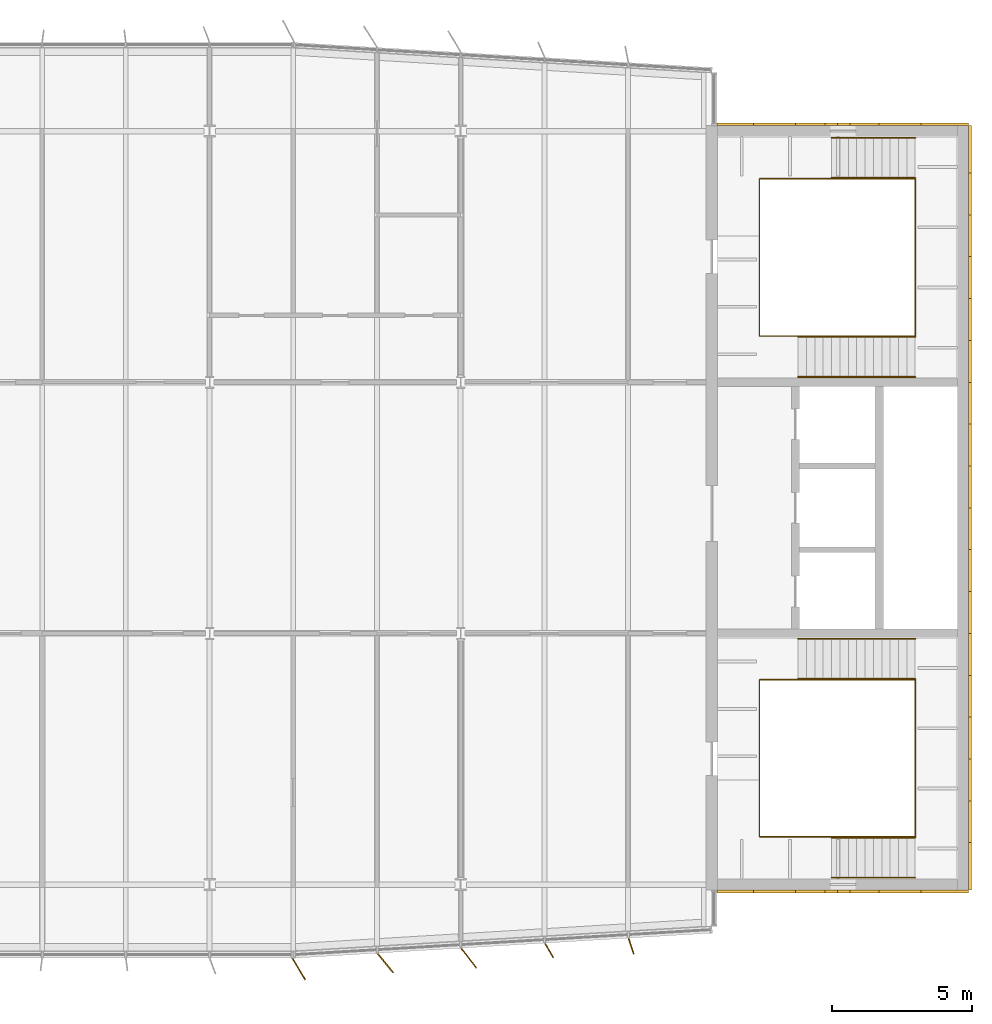
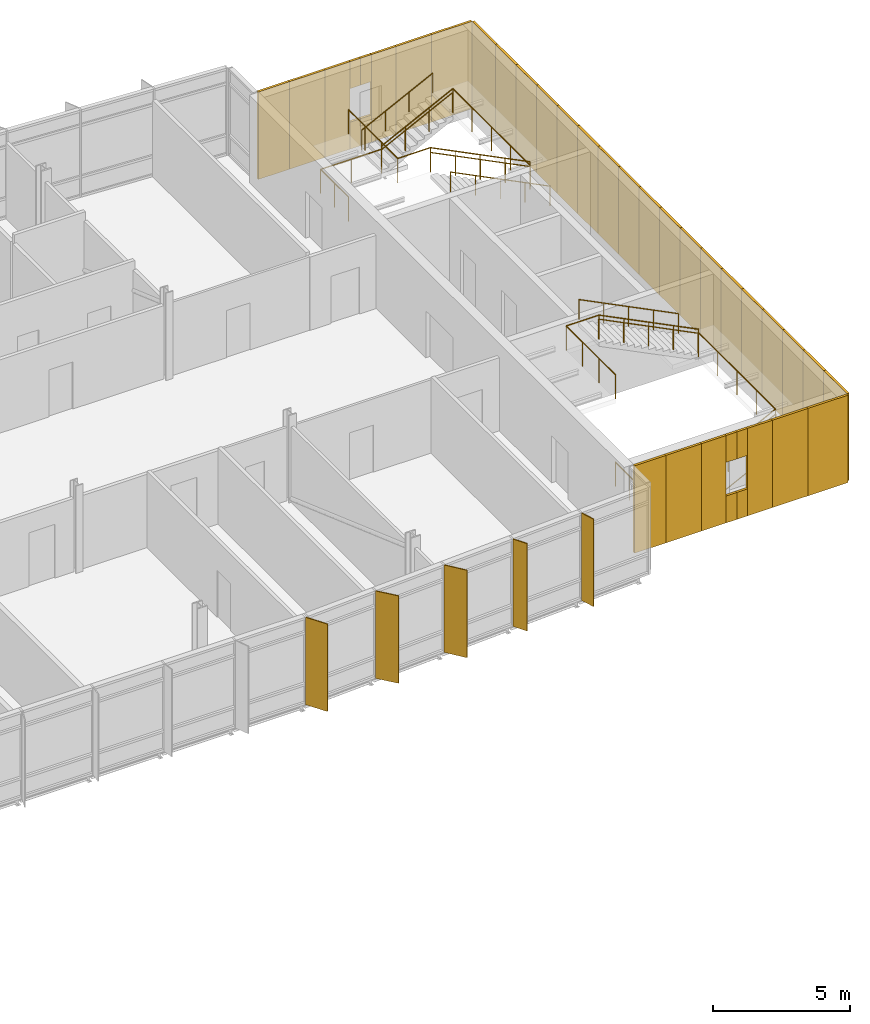
# One storey, part 17 of 18: 38 coverings, 10 railings, 5 shading devices.
"""IFC4 building model written with IfcOpenShell, lengths in metres."""

from ifc_helpers import new_model, si_unit, direction, frame, origin, origin_2d, place, context, subcontext, project, spatial, rectangle, circle, extrude, material, layer, layer_set, type_object, element, save


model = new_model("IFC4")

# Units and contexts
model_context = context("Model", 3, precision=1e-05, world=origin(), true_north=direction((0.0, 1.0)))
body_context = subcontext(model_context, "Body", "Model", "MODEL_VIEW")
ifc_project = project(units=[si_unit("LENGTHUNIT", "METRE"), si_unit("AREAUNIT", "SQUARE_METRE"), si_unit("VOLUMEUNIT", "CUBIC_METRE"), si_unit("PLANEANGLEUNIT", "RADIAN"), si_unit("MASSUNIT", "GRAM", prefix="KILO")], contexts=[model_context])

# Site, building, storey
site_placement = place(None, origin())
site = spatial("IfcSite", under=ifc_project, at=site_placement, CompositionType="ELEMENT")
building_placement = place(site_placement, origin())
building = spatial("IfcBuilding", under=site, at=building_placement, Name="Azimuth Sports and Learning Centre", CompositionType="ELEMENT")
storey_placement = place(building_placement, frame((0.0, 0.0, 63.60009765625)))
storey = spatial("IfcBuildingStorey", under=building, at=storey_placement, Name="L14", CompositionType="ELEMENT", Elevation=63.60009765625)

# Coverings
ifc_material_1 = material(Name="Cladding panel")
ifc_layer_1 = layer(ifc_material_1, 0.10009765625)
ifc_layer_set_1 = layer_set([ifc_layer_1], Name="Cladding panel")
covering_type = type_object("IfcCoveringType", Name="Cladding panel 100", PredefinedType="CLADDING", material=ifc_layer_set_1)
covering_1_placement = place(storey_placement, frame((108.840087890625, 89.75, 0.0), z_axis=(0.0, 0.0, 1.0), x_axis=(1.0, 0.0, 0.0)))
element("IfcCovering", 1, at=covering_1_placement, inside=storey, type_object=covering_type, Name="Cladding panel S-CORE E L14 1", PredefinedType="CLADDING", context=body_context, shape_type="SweptSolid", body=[
    extrude(rectangle(XDim=1.320068359375, YDim=0.10009765625, at=origin_2d()), origin(), (0.0, 0.0, 1.0), 3.89990234375),
])
covering_2_placement = place(storey_placement, frame((110.25, 89.75, 0.0), z_axis=(0.0, 0.0, 1.0), x_axis=(1.0, 0.0, 0.0)))
element("IfcCovering", 2, at=covering_2_placement, inside=storey, type_object=covering_type, Name="Cladding panel S-CORE E L14 2", PredefinedType="CLADDING", context=body_context, shape_type="SweptSolid", body=[
    extrude(rectangle(XDim=1.5, YDim=0.10009765625, at=origin_2d()), origin(), (0.0, 0.0, 1.0), 3.89990234375),
])
covering_3_placement = place(storey_placement, frame((111.52490234375, 89.75, 0.0), z_axis=(0.0, 0.0, 1.0), x_axis=(1.0, 0.0, 0.0)))
element("IfcCovering", 3, at=covering_3_placement, inside=storey, type_object=covering_type, Name="Cladding panel S-CORE E L14 3", PredefinedType="CLADDING", context=body_context, shape_type="SweptSolid", body=[
    extrude(rectangle(XDim=1.050048828125, YDim=0.10009765625, at=origin_2d()), origin(), (0.0, 0.0, 1.0), 3.89990234375),
])
for number, where, z_axis, x_axis, name in (
    (4, (112.27490234375, 89.75, 0.0), (0.0, 0.0, 1.0), (1.0, 0.0, 0.0), "Cladding panel S-CORE E L14 4"),
    (5, (112.27490234375, 89.75, 2.69970703125), (0.0, 0.0, 1.0), (1.0, 0.0, 0.0), "Cladding panel S-CORE E L14 5"),
):
    element("IfcCovering", number, at=place(storey_placement, frame(where, z_axis=z_axis, x_axis=x_axis)), inside=storey, type_object=covering_type, Name=name, PredefinedType="CLADDING", context=body_context, shape_type="SweptSolid", body=[
        extrude(rectangle(XDim=0.449951171875, YDim=0.10009765625, at=origin_2d()), origin(), (0.0, 0.0, 1.0), 1.199951171875),
    ])
covering_4_placement = place(storey_placement, frame((113.47509765625, 89.75, 0.0), z_axis=(0.0, 0.0, 1.0), x_axis=(1.0, 0.0, 0.0)))
element("IfcCovering", 6, at=covering_4_placement, inside=storey, type_object=covering_type, Name="Cladding panel S-CORE E L14 6", PredefinedType="CLADDING", context=body_context, shape_type="SweptSolid", body=[
    extrude(rectangle(XDim=1.050048828125, YDim=0.10009765625, at=origin_2d()), origin(), (0.0, 0.0, 1.0), 3.89990234375),
])
for number, where, z_axis, x_axis, name in (
    (7, (112.72509765625, 89.75, 0.0), (0.0, 0.0, 1.0), (1.0, 0.0, 0.0), "Cladding panel S-CORE E L14 7"),
    (8, (112.72509765625, 89.75, 2.69970703125), (0.0, 0.0, 1.0), (1.0, 0.0, 0.0), "Cladding panel S-CORE E L14 8"),
):
    element("IfcCovering", number, at=place(storey_placement, frame(where, z_axis=z_axis, x_axis=x_axis)), inside=storey, type_object=covering_type, Name=name, PredefinedType="CLADDING", context=body_context, shape_type="SweptSolid", body=[
        extrude(rectangle(XDim=0.449951171875, YDim=0.10009765625, at=origin_2d()), origin(), (0.0, 0.0, 1.0), 1.199951171875),
    ])
covering_5_placement = place(storey_placement, frame((114.75, 89.75, 0.0), z_axis=(0.0, 0.0, 1.0), x_axis=(1.0, 0.0, 0.0)))
element("IfcCovering", 9, at=covering_5_placement, inside=storey, type_object=covering_type, Name="Cladding panel S-CORE E L14 9", PredefinedType="CLADDING", context=body_context, shape_type="SweptSolid", body=[
    extrude(rectangle(XDim=1.5, YDim=0.10009765625, at=origin_2d()), origin(), (0.0, 0.0, 1.0), 3.89990234375),
])
for number, where, z_axis, x_axis, name in (
    (10, (116.35009765625, 89.75, 0.0), (0.0, 0.0, 1.0), (1.0, 0.0, 0.0), "Cladding panel S-CORE E L14 10"),
    (11, (117.25, 90.64990234375, 0.0), (0.0, 0.0, 1.0), (0.0, 1.0, 0.0), "Cladding panel E-CORE E L14 1"),
):
    element("IfcCovering", number, at=place(storey_placement, frame(where, z_axis=z_axis, x_axis=x_axis)), inside=storey, type_object=covering_type, Name=name, PredefinedType="CLADDING", context=body_context, shape_type="SweptSolid", body=[
        extrude(rectangle(XDim=1.699951171875, YDim=0.10009765625, at=origin_2d()), origin(), (0.0, 0.0, 1.0), 3.89990234375),
    ])
for number, where, z_axis, x_axis, name in (
    (12, (117.25, 92.25, 0.0), (0.0, 0.0, 1.0), (0.0, 1.0, 0.0), "Cladding panel E-CORE E L14 2"),
    (13, (117.25, 93.75, 0.0), (0.0, 0.0, 1.0), (0.0, 1.0, 0.0), "Cladding panel E-CORE E L14 3"),
    (14, (117.25, 95.25, 0.0), (0.0, 0.0, 1.0), (0.0, 1.0, 0.0), "Cladding panel E-CORE E L14 4"),
    (15, (117.25, 96.75, 0.0), (0.0, 0.0, 1.0), (0.0, 1.0, 0.0), "Cladding panel E-CORE E L14 5"),
    (16, (117.25, 98.25, 0.0), (0.0, 0.0, 1.0), (0.0, 1.0, 0.0), "Cladding panel E-CORE E L14 6"),
    (17, (117.25, 99.75, 0.0), (0.0, 0.0, 1.0), (0.0, 1.0, 0.0), "Cladding panel E-CORE E L14 7"),
    (18, (117.25, 101.25, 0.0), (0.0, 0.0, 1.0), (0.0, 1.0, 0.0), "Cladding panel E-CORE E L14 8"),
    (19, (117.25, 102.75, 0.0), (0.0, 0.0, 1.0), (0.0, 1.0, 0.0), "Cladding panel E-CORE E L14 9"),
    (20, (117.25, 104.25, 0.0), (0.0, 0.0, 1.0), (0.0, 1.0, 0.0), "Cladding panel E-CORE E L14 10"),
    (21, (117.25, 105.75, 0.0), (0.0, 0.0, 1.0), (0.0, 1.0, 0.0), "Cladding panel E-CORE E L14 11"),
    (22, (117.25, 107.25, 0.0), (0.0, 0.0, 1.0), (0.0, 1.0, 0.0), "Cladding panel E-CORE E L14 12"),
    (23, (117.25, 108.75, 0.0), (0.0, 0.0, 1.0), (0.0, 1.0, 0.0), "Cladding panel E-CORE E L14 13"),
    (24, (117.25, 110.25, 0.0), (0.0, 0.0, 1.0), (0.0, 1.0, 0.0), "Cladding panel E-CORE E L14 14"),
    (25, (117.25, 111.75, 0.0), (0.0, 0.0, 1.0), (0.0, 1.0, 0.0), "Cladding panel E-CORE E L14 15"),
    (26, (117.25, 113.25, 0.0), (0.0, 0.0, 1.0), (0.0, 1.0, 0.0), "Cladding panel E-CORE E L14 16"),
    (27, (117.25, 114.75, 0.0), (0.0, 0.0, 1.0), (0.0, 1.0, 0.0), "Cladding panel E-CORE E L14 17"),
):
    element("IfcCovering", number, at=place(storey_placement, frame(where, z_axis=z_axis, x_axis=x_axis)), inside=storey, type_object=covering_type, Name=name, PredefinedType="CLADDING", context=body_context, shape_type="SweptSolid", body=[
        extrude(rectangle(XDim=1.5, YDim=0.10009765625, at=origin_2d()), origin(), (0.0, 0.0, 1.0), 3.89990234375),
    ])
for number, where, z_axis, x_axis, name in (
    (28, (117.25, 116.35009765625, 0.0), (0.0, 0.0, 1.0), (0.0, 1.0, 0.0), "Cladding panel E-CORE E L14 18"),
    (29, (116.35009765625, 117.25, 0.0), (0.0, 0.0, 1.0), (-1.0, 0.0, 0.0), "Cladding panel N-CORE E L14 1"),
):
    element("IfcCovering", number, at=place(storey_placement, frame(where, z_axis=z_axis, x_axis=x_axis)), inside=storey, type_object=covering_type, Name=name, PredefinedType="CLADDING", context=body_context, shape_type="SweptSolid", body=[
        extrude(rectangle(XDim=1.699951171875, YDim=0.10009765625, at=origin_2d()), origin(), (0.0, 0.0, 1.0), 3.89990234375),
    ])
covering_6_placement = place(storey_placement, frame((114.75, 117.25, 0.0), z_axis=(0.0, 0.0, 1.0), x_axis=(-1.0, 0.0, 0.0)))
element("IfcCovering", 30, at=covering_6_placement, inside=storey, type_object=covering_type, Name="Cladding panel N-CORE E L14 2", PredefinedType="CLADDING", context=body_context, shape_type="SweptSolid", body=[
    extrude(rectangle(XDim=1.5, YDim=0.10009765625, at=origin_2d()), origin(), (0.0, 0.0, 1.0), 3.89990234375),
])
covering_7_placement = place(storey_placement, frame((113.47509765625, 117.25, 0.0), z_axis=(0.0, 0.0, 1.0), x_axis=(-1.0, 0.0, 0.0)))
element("IfcCovering", 31, at=covering_7_placement, inside=storey, type_object=covering_type, Name="Cladding panel N-CORE E L14 3", PredefinedType="CLADDING", context=body_context, shape_type="SweptSolid", body=[
    extrude(rectangle(XDim=1.050048828125, YDim=0.10009765625, at=origin_2d()), origin(), (0.0, 0.0, 1.0), 3.89990234375),
])
for number, where, z_axis, x_axis, name in (
    (32, (112.72509765625, 117.25, 0.0), (0.0, 0.0, 1.0), (-1.0, 0.0, 0.0), "Cladding panel N-CORE E L14 4"),
    (33, (112.72509765625, 117.25, 2.69970703125), (0.0, 0.0, 1.0), (-1.0, 0.0, 0.0), "Cladding panel N-CORE E L14 5"),
):
    element("IfcCovering", number, at=place(storey_placement, frame(where, z_axis=z_axis, x_axis=x_axis)), inside=storey, type_object=covering_type, Name=name, PredefinedType="CLADDING", context=body_context, shape_type="SweptSolid", body=[
        extrude(rectangle(XDim=0.449951171875, YDim=0.10009765625, at=origin_2d()), origin(), (0.0, 0.0, 1.0), 1.199951171875),
    ])
covering_8_placement = place(storey_placement, frame((111.52490234375, 117.25, 0.0), z_axis=(0.0, 0.0, 1.0), x_axis=(-1.0, 0.0, 0.0)))
element("IfcCovering", 34, at=covering_8_placement, inside=storey, type_object=covering_type, Name="Cladding panel N-CORE E L14 6", PredefinedType="CLADDING", context=body_context, shape_type="SweptSolid", body=[
    extrude(rectangle(XDim=1.050048828125, YDim=0.10009765625, at=origin_2d()), origin(), (0.0, 0.0, 1.0), 3.89990234375),
])
for number, where, z_axis, x_axis, name in (
    (35, (112.27490234375, 117.25, 0.0), (0.0, 0.0, 1.0), (-1.0, 0.0, 0.0), "Cladding panel N-CORE E L14 7"),
    (36, (112.27490234375, 117.25, 2.69970703125), (0.0, 0.0, 1.0), (-1.0, 0.0, 0.0), "Cladding panel N-CORE E L14 8"),
):
    element("IfcCovering", number, at=place(storey_placement, frame(where, z_axis=z_axis, x_axis=x_axis)), inside=storey, type_object=covering_type, Name=name, PredefinedType="CLADDING", context=body_context, shape_type="SweptSolid", body=[
        extrude(rectangle(XDim=0.449951171875, YDim=0.10009765625, at=origin_2d()), origin(), (0.0, 0.0, 1.0), 1.199951171875),
    ])
covering_9_placement = place(storey_placement, frame((110.25, 117.25, 0.0), z_axis=(0.0, 0.0, 1.0), x_axis=(-1.0, 0.0, 0.0)))
element("IfcCovering", 37, at=covering_9_placement, inside=storey, type_object=covering_type, Name="Cladding panel N-CORE E L14 9", PredefinedType="CLADDING", context=body_context, shape_type="SweptSolid", body=[
    extrude(rectangle(XDim=1.5, YDim=0.10009765625, at=origin_2d()), origin(), (0.0, 0.0, 1.0), 3.89990234375),
])
covering_10_placement = place(storey_placement, frame((108.840087890625, 117.25, 0.0), z_axis=(0.0, 0.0, 1.0), x_axis=(-1.0, 0.0, 0.0)))
element("IfcCovering", 38, at=covering_10_placement, inside=storey, type_object=covering_type, Name="Cladding panel N-CORE E L14 10", PredefinedType="CLADDING", context=body_context, shape_type="SweptSolid", body=[
    extrude(rectangle(XDim=1.320068359375, YDim=0.10009765625, at=origin_2d()), origin(), (0.0, 0.0, 1.0), 3.89990234375),
])

# Shading devices
ifc_material_2 = material(Name="Aluminium", Category="aluminium")
ifc_layer_2 = layer(ifc_material_2, 0.0400390625)
ifc_layer_set_2 = layer_set([ifc_layer_2], Name="Aluminium")
shading_device_type_1 = type_object("IfcShadingDeviceType", Name="Shading fin 600", PredefinedType="JALOUSIE", material=ifc_layer_set_2)
for number, where, z_axis, x_axis, name in (
    (39, (102.165283203125, 87.64111328125, 0.0), (0.0, 0.0, 1.0), (0.50282122482, -0.864390430228, 0.0), "Shading fin F14-013"),
    (40, (105.107421875, 87.795166015625, 0.0), (0.0, 0.0, 1.0), (0.310280447308, -0.950645067319, 0.0), "Shading fin F14-014"),
):
    element("IfcShadingDevice", number, at=place(storey_placement, frame(where, z_axis=z_axis, x_axis=x_axis)), inside=storey, type_object=shading_device_type_1, Name=name, PredefinedType="JALOUSIE", context=body_context, shape_type="SweptSolid", body=[
        extrude(rectangle(XDim=0.60009765625, YDim=0.0400390625, at=origin_2d()), origin(), (0.0, 0.0, 1.0), 3.89990234375),
    ])
ifc_material_3 = material(Name="Aluminium", Category="aluminium")
ifc_layer_3 = layer(ifc_material_3, 0.0400390625)
ifc_layer_set_3 = layer_set([ifc_layer_3], Name="Aluminium")
shading_device_type_2 = type_object("IfcShadingDeviceType", Name="Shading fin 900", PredefinedType="JALOUSIE", material=ifc_layer_set_3)
for number, where, z_axis, x_axis, name in (
    (41, (93.197998046875, 86.97509765625, 0.0), (0.0, 0.0, 1.0), (0.517682326227, -0.855572912797, 0.0), "Shading fin F14-010"),
    (42, (96.299072265625, 87.19189453125, 0.0), (0.0, 0.0, 1.0), (0.632521516641, -0.77454278835, 0.0), "Shading fin F14-011"),
    (43, (99.289306640625, 87.3642578125, 0.0), (0.0, 0.0, 1.0), (0.611135436755, -0.791526043755, 0.0), "Shading fin F14-012"),
):
    element("IfcShadingDevice", number, at=place(storey_placement, frame(where, z_axis=z_axis, x_axis=x_axis)), inside=storey, type_object=shading_device_type_2, Name=name, PredefinedType="JALOUSIE", context=body_context, shape_type="SweptSolid", body=[
        extrude(rectangle(XDim=0.89990234375, YDim=0.0400390625, at=origin_2d()), origin(), (0.0, 0.0, 1.0), 3.89990234375),
    ])

# Railings
ifc_material_4 = material(Name="Stainless steel", Category="steel")
railing_type_1 = type_object("IfcRailingType", Name="Stair guard 1100", PredefinedType="GUARDRAIL", material=ifc_material_4)
railing_1_placement = place(storey_placement, frame((109.7099609375, 93.75, 0.0)))
element("IfcRailing", 44, at=railing_1_placement, inside=storey, type_object=railing_type_1, Name="Guard E1 L14 well", PredefinedType="GUARDRAIL", context=body_context, shape_type="SweptSolid", body=[
    extrude(circle(Radius=0.02392578125, at=origin_2d()), frame((0.0, 0.0, 1.076171875), z_axis=(0.0, -1.0, 0.0), x_axis=(1.0, 0.0, 0.0)), (0.0, 0.0, 1.0), 2.0400390625),
    extrude(circle(Radius=0.02392578125, at=origin_2d()), frame((0.0, -2.0400390625, 1.076171875), z_axis=(1.0, 0.0, 0.0), x_axis=(0.0, 1.0, 0.0)), (0.0, 0.0, 1.0), 2.580078125),
    extrude(circle(Radius=0.02392578125, at=origin_2d()), frame((2.580078125, -2.0400390625, 1.076171875), z_axis=(0.0, 0.0, 1.0), x_axis=(1.0, 0.0, 0.0)), (0.0, 0.0, 1.0), 0.14990234375),
    extrude(circle(Radius=0.02392578125, at=origin_2d()), frame((2.580078125, -2.0400390625, 1.22607421875), z_axis=(0.894427191, 0.0, 0.4472135955), x_axis=(0.0, 1.0, 0.0)), (0.0, 0.0, 1.0), 3.35400390625),
    extrude(circle(Radius=0.02392578125, at=origin_2d()), frame((5.580078125, -2.0400390625, 2.72607421875), z_axis=(0.0, 1.0, 0.0), x_axis=(-1.0, 0.0, 0.0)), (0.0, 0.0, 1.0), 5.630126953125),
    extrude(circle(Radius=0.02392578125, at=origin_2d()), frame((5.580078125, 3.590087890625, 2.72607421875), z_axis=(0.0, 0.0, 1.0), x_axis=(1.0, 0.0, 0.0)), (0.0, 0.0, 1.0), 0.14990234375),
    extrude(circle(Radius=0.02392578125, at=origin_2d()), frame((5.580078125, 3.590087890625, 2.8759765625), z_axis=(-0.894416792377, 0.0, 0.447234392142), x_axis=(0.0, -1.0, 0.0)), (0.0, 0.0, 1.0), 4.69580078125),
    extrude(circle(Radius=0.02392578125, at=origin_2d()), frame((1.380126953125, 3.590087890625, 4.97607421875), z_axis=(-1.0, 0.0, 0.0), x_axis=(0.0, -1.0, 0.0)), (0.0, 0.0, 1.0), 1.380126953125),
    extrude(circle(Radius=0.02392578125, at=origin_2d()), frame((0.0, 3.590087890625, 4.97607421875), z_axis=(0.0, -1.0, 0.0), x_axis=(1.0, 0.0, 0.0)), (0.0, 0.0, 1.0), 3.590087890625),
    extrude(circle(Radius=0.01611328125, at=origin_2d()), origin(), (0.0, 0.0, 1.0), 1.052001953125),
    extrude(circle(Radius=0.01611328125, at=origin_2d()), frame((0.0, -1.02001953125, 0.0)), (0.0, 0.0, 1.0), 1.052001953125),
    extrude(circle(Radius=0.01611328125, at=origin_2d()), frame((0.0, -2.0400390625, 0.0)), (0.0, 0.0, 1.0), 1.052001953125),
    extrude(circle(Radius=0.01611328125, at=origin_2d()), frame((1.2900390625, -2.0400390625, 0.0)), (0.0, 0.0, 1.0), 1.052001953125),
    extrude(circle(Radius=0.01611328125, at=origin_2d()), frame((2.580078125, -2.0400390625, 0.0)), (0.0, 0.0, 1.0), 1.052001953125),
    extrude(circle(Radius=0.01611328125, at=origin_2d()), frame((2.580078125, -2.0400390625, 0.14990234375)), (0.0, 0.0, 1.0), 1.052001953125),
    extrude(circle(Radius=0.01611328125, at=origin_2d()), frame((3.580078125, -2.0400390625, 0.64990234375)), (0.0, 0.0, 1.0), 1.052001953125),
    extrude(circle(Radius=0.01611328125, at=origin_2d()), frame((4.580078125, -2.0400390625, 1.14990234375)), (0.0, 0.0, 1.0), 1.052001953125),
    extrude(circle(Radius=0.01611328125, at=origin_2d()), frame((5.580078125, -2.0400390625, 1.64990234375)), (0.0, 0.0, 1.0), 1.052001953125),
    extrude(circle(Radius=0.01611328125, at=origin_2d()), frame((5.580078125, -0.632568359375, 1.64990234375)), (0.0, 0.0, 1.0), 1.052001953125),
    extrude(circle(Radius=0.01611328125, at=origin_2d()), frame((5.580078125, 0.77490234375, 1.64990234375)), (0.0, 0.0, 1.0), 1.052001953125),
    extrude(circle(Radius=0.01611328125, at=origin_2d()), frame((5.580078125, 2.1826171875, 1.64990234375)), (0.0, 0.0, 1.0), 1.052001953125),
    extrude(circle(Radius=0.01611328125, at=origin_2d()), frame((5.580078125, 3.590087890625, 1.64990234375)), (0.0, 0.0, 1.0), 1.052001953125),
    extrude(circle(Radius=0.01611328125, at=origin_2d()), frame((5.580078125, 3.590087890625, 1.7998046875)), (0.0, 0.0, 1.0), 1.052001953125),
    extrude(circle(Radius=0.01611328125, at=origin_2d()), frame((4.530029296875, 3.590087890625, 2.32470703125)), (0.0, 0.0, 1.0), 1.052001953125),
    extrude(circle(Radius=0.01611328125, at=origin_2d()), frame((3.47998046875, 3.590087890625, 2.849853515625)), (0.0, 0.0, 1.0), 1.052001953125),
    extrude(circle(Radius=0.01611328125, at=origin_2d()), frame((2.43017578125, 3.590087890625, 3.375)), (0.0, 0.0, 1.0), 1.052001953125),
    extrude(circle(Radius=0.01611328125, at=origin_2d()), frame((1.380126953125, 3.590087890625, 3.89990234375)), (0.0, 0.0, 1.0), 1.052001953125),
    extrude(circle(Radius=0.01611328125, at=origin_2d()), frame((0.0, 3.590087890625, 3.89990234375)), (0.0, 0.0, 1.0), 1.052001953125),
    extrude(circle(Radius=0.01611328125, at=origin_2d()), frame((0.0, 2.393310546875, 3.89990234375)), (0.0, 0.0, 1.0), 1.052001953125),
    extrude(circle(Radius=0.01611328125, at=origin_2d()), frame((0.0, 1.19677734375, 3.89990234375)), (0.0, 0.0, 1.0), 1.052001953125),
    extrude(circle(Radius=0.01611328125, at=origin_2d()), frame((0.0, 0.0, 3.89990234375)), (0.0, 0.0, 1.0), 1.052001953125),
])
railing_2_placement = place(storey_placement, frame((109.7099609375, 113.25, 0.0)))
element("IfcRailing", 45, at=railing_2_placement, inside=storey, type_object=railing_type_1, Name="Guard E2 L14 well", PredefinedType="GUARDRAIL", context=body_context, shape_type="SweptSolid", body=[
    extrude(circle(Radius=0.02392578125, at=origin_2d()), frame((0.0, 0.0, 1.076171875), z_axis=(0.0, 1.0, 0.0), x_axis=(-1.0, 0.0, 0.0)), (0.0, 0.0, 1.0), 2.0400390625),
    extrude(circle(Radius=0.02392578125, at=origin_2d()), frame((0.0, 2.0400390625, 1.076171875), z_axis=(1.0, 0.0, 0.0), x_axis=(0.0, 1.0, 0.0)), (0.0, 0.0, 1.0), 2.580078125),
    extrude(circle(Radius=0.02392578125, at=origin_2d()), frame((2.580078125, 2.0400390625, 1.076171875), z_axis=(0.0, 0.0, 1.0), x_axis=(1.0, 0.0, 0.0)), (0.0, 0.0, 1.0), 0.14990234375),
    extrude(circle(Radius=0.02392578125, at=origin_2d()), frame((2.580078125, 2.0400390625, 1.22607421875), z_axis=(0.894427191, 0.0, 0.4472135955), x_axis=(0.0, 1.0, 0.0)), (0.0, 0.0, 1.0), 3.35400390625),
    extrude(circle(Radius=0.02392578125, at=origin_2d()), frame((5.580078125, 2.0400390625, 2.72607421875), z_axis=(0.0, -1.0, 0.0), x_axis=(1.0, 0.0, 0.0)), (0.0, 0.0, 1.0), 5.630126953125),
    extrude(circle(Radius=0.02392578125, at=origin_2d()), frame((5.580078125, -3.590087890625, 2.72607421875), z_axis=(0.0, 0.0, 1.0), x_axis=(1.0, 0.0, 0.0)), (0.0, 0.0, 1.0), 0.14990234375),
    extrude(circle(Radius=0.02392578125, at=origin_2d()), frame((5.580078125, -3.590087890625, 2.8759765625), z_axis=(-0.894416792377, 0.0, 0.447234392142), x_axis=(0.0, -1.0, 0.0)), (0.0, 0.0, 1.0), 4.69580078125),
    extrude(circle(Radius=0.02392578125, at=origin_2d()), frame((1.380126953125, -3.590087890625, 4.97607421875), z_axis=(-1.0, 0.0, 0.0), x_axis=(0.0, -1.0, 0.0)), (0.0, 0.0, 1.0), 1.380126953125),
    extrude(circle(Radius=0.02392578125, at=origin_2d()), frame((0.0, -3.590087890625, 4.97607421875), z_axis=(0.0, 1.0, 0.0), x_axis=(-1.0, 0.0, 0.0)), (0.0, 0.0, 1.0), 3.590087890625),
    extrude(circle(Radius=0.01611328125, at=origin_2d()), origin(), (0.0, 0.0, 1.0), 1.052001953125),
    extrude(circle(Radius=0.01611328125, at=origin_2d()), frame((0.0, 1.02001953125, 0.0)), (0.0, 0.0, 1.0), 1.052001953125),
    extrude(circle(Radius=0.01611328125, at=origin_2d()), frame((0.0, 2.0400390625, 0.0)), (0.0, 0.0, 1.0), 1.052001953125),
    extrude(circle(Radius=0.01611328125, at=origin_2d()), frame((1.2900390625, 2.0400390625, 0.0)), (0.0, 0.0, 1.0), 1.052001953125),
    extrude(circle(Radius=0.01611328125, at=origin_2d()), frame((2.580078125, 2.0400390625, 0.0)), (0.0, 0.0, 1.0), 1.052001953125),
    extrude(circle(Radius=0.01611328125, at=origin_2d()), frame((2.580078125, 2.0400390625, 0.14990234375)), (0.0, 0.0, 1.0), 1.052001953125),
    extrude(circle(Radius=0.01611328125, at=origin_2d()), frame((3.580078125, 2.0400390625, 0.64990234375)), (0.0, 0.0, 1.0), 1.052001953125),
    extrude(circle(Radius=0.01611328125, at=origin_2d()), frame((4.580078125, 2.0400390625, 1.14990234375)), (0.0, 0.0, 1.0), 1.052001953125),
    extrude(circle(Radius=0.01611328125, at=origin_2d()), frame((5.580078125, 2.0400390625, 1.64990234375)), (0.0, 0.0, 1.0), 1.052001953125),
    extrude(circle(Radius=0.01611328125, at=origin_2d()), frame((5.580078125, 0.632568359375, 1.64990234375)), (0.0, 0.0, 1.0), 1.052001953125),
    extrude(circle(Radius=0.01611328125, at=origin_2d()), frame((5.580078125, -0.77490234375, 1.64990234375)), (0.0, 0.0, 1.0), 1.052001953125),
    extrude(circle(Radius=0.01611328125, at=origin_2d()), frame((5.580078125, -2.1826171875, 1.64990234375)), (0.0, 0.0, 1.0), 1.052001953125),
    extrude(circle(Radius=0.01611328125, at=origin_2d()), frame((5.580078125, -3.590087890625, 1.64990234375)), (0.0, 0.0, 1.0), 1.052001953125),
    extrude(circle(Radius=0.01611328125, at=origin_2d()), frame((5.580078125, -3.590087890625, 1.7998046875)), (0.0, 0.0, 1.0), 1.052001953125),
    extrude(circle(Radius=0.01611328125, at=origin_2d()), frame((4.530029296875, -3.590087890625, 2.32470703125)), (0.0, 0.0, 1.0), 1.052001953125),
    extrude(circle(Radius=0.01611328125, at=origin_2d()), frame((3.47998046875, -3.590087890625, 2.849853515625)), (0.0, 0.0, 1.0), 1.052001953125),
    extrude(circle(Radius=0.01611328125, at=origin_2d()), frame((2.43017578125, -3.590087890625, 3.375)), (0.0, 0.0, 1.0), 1.052001953125),
    extrude(circle(Radius=0.01611328125, at=origin_2d()), frame((1.380126953125, -3.590087890625, 3.89990234375)), (0.0, 0.0, 1.0), 1.052001953125),
    extrude(circle(Radius=0.01611328125, at=origin_2d()), frame((0.0, -3.590087890625, 3.89990234375)), (0.0, 0.0, 1.0), 1.052001953125),
    extrude(circle(Radius=0.01611328125, at=origin_2d()), frame((0.0, -2.393310546875, 3.89990234375)), (0.0, 0.0, 1.0), 1.052001953125),
    extrude(circle(Radius=0.01611328125, at=origin_2d()), frame((0.0, -1.19677734375, 3.89990234375)), (0.0, 0.0, 1.0), 1.052001953125),
    extrude(circle(Radius=0.01611328125, at=origin_2d()), frame((0.0, 0.0, 3.89990234375)), (0.0, 0.0, 1.0), 1.052001953125),
])
ifc_material_5 = material(Name="Stainless steel", Category="steel")
railing_type_2 = type_object("IfcRailingType", Name="Stair handrail 42", PredefinedType="HANDRAIL", material=ifc_material_5)
for number, where, name in (
    (46, (112.2900390625, 91.679931640625, 0.14990234375), "Handrail E1 L14 flight 1 inner"),
    (47, (112.2900390625, 90.239990234375, 0.14990234375), "Handrail E1 L14 flight 1 outer"),
):
    element("IfcRailing", number, at=place(storey_placement, frame(where)), inside=storey, type_object=railing_type_2, Name=name, PredefinedType="HANDRAIL", context=body_context, shape_type="SweptSolid", body=[
        extrude(circle(Radius=0.02099609375, at=origin_2d()), frame((0.0, 0.0, 0.87890625), z_axis=(0.894427191, 0.0, 0.4472135955), x_axis=(0.0, 1.0, 0.0)), (0.0, 0.0, 1.0), 3.35400390625),
        extrude(circle(Radius=0.01611328125, at=origin_2d()), origin(), (0.0, 0.0, 1.0), 0.85791015625),
        extrude(circle(Radius=0.01611328125, at=origin_2d()), frame((1.0, 0.0, 0.5)), (0.0, 0.0, 1.0), 0.85791015625),
        extrude(circle(Radius=0.01611328125, at=origin_2d()), frame((2.0, 0.0, 1.0)), (0.0, 0.0, 1.0), 0.85791015625),
        extrude(circle(Radius=0.01611328125, at=origin_2d()), frame((3.0, 0.0, 1.5)), (0.0, 0.0, 1.0), 0.85791015625),
    ])
for number, where, name in (
    (48, (115.2900390625, 97.3701171875, 1.7998046875), "Handrail E1 L14 flight 2 inner"),
    (49, (115.2900390625, 98.81005859375, 1.7998046875), "Handrail E1 L14 flight 2 outer"),
):
    element("IfcRailing", number, at=place(storey_placement, frame(where)), inside=storey, type_object=railing_type_2, Name=name, PredefinedType="HANDRAIL", context=body_context, shape_type="SweptSolid", body=[
        extrude(circle(Radius=0.02099609375, at=origin_2d()), frame((0.0, 0.0, 0.87890625), z_axis=(-0.894416792377, 0.0, 0.447234392142), x_axis=(0.0, -1.0, 0.0)), (0.0, 0.0, 1.0), 4.69580078125),
        extrude(circle(Radius=0.01611328125, at=origin_2d()), origin(), (0.0, 0.0, 1.0), 0.85791015625),
        extrude(circle(Radius=0.01611328125, at=origin_2d()), frame((-1.050048828125, 0.0, 0.52490234375)), (0.0, 0.0, 1.0), 0.85791015625),
        extrude(circle(Radius=0.01611328125, at=origin_2d()), frame((-2.10009765625, 0.0, 1.050048828125)), (0.0, 0.0, 1.0), 0.85791015625),
        extrude(circle(Radius=0.01611328125, at=origin_2d()), frame((-3.14990234375, 0.0, 1.5751953125)), (0.0, 0.0, 1.0), 0.85791015625),
        extrude(circle(Radius=0.01611328125, at=origin_2d()), frame((-4.199951171875, 0.0, 2.10009765625)), (0.0, 0.0, 1.0), 0.85791015625),
    ])
for number, where, name in (
    (50, (112.2900390625, 115.320068359375, 0.14990234375), "Handrail E2 L14 flight 1 inner"),
    (51, (112.2900390625, 116.760009765625, 0.14990234375), "Handrail E2 L14 flight 1 outer"),
):
    element("IfcRailing", number, at=place(storey_placement, frame(where)), inside=storey, type_object=railing_type_2, Name=name, PredefinedType="HANDRAIL", context=body_context, shape_type="SweptSolid", body=[
        extrude(circle(Radius=0.02099609375, at=origin_2d()), frame((0.0, 0.0, 0.87890625), z_axis=(0.894427191, 0.0, 0.4472135955), x_axis=(0.0, 1.0, 0.0)), (0.0, 0.0, 1.0), 3.35400390625),
        extrude(circle(Radius=0.01611328125, at=origin_2d()), origin(), (0.0, 0.0, 1.0), 0.85791015625),
        extrude(circle(Radius=0.01611328125, at=origin_2d()), frame((1.0, 0.0, 0.5)), (0.0, 0.0, 1.0), 0.85791015625),
        extrude(circle(Radius=0.01611328125, at=origin_2d()), frame((2.0, 0.0, 1.0)), (0.0, 0.0, 1.0), 0.85791015625),
        extrude(circle(Radius=0.01611328125, at=origin_2d()), frame((3.0, 0.0, 1.5)), (0.0, 0.0, 1.0), 0.85791015625),
    ])
for number, where, name in (
    (52, (115.2900390625, 109.6298828125, 1.7998046875), "Handrail E2 L14 flight 2 inner"),
    (53, (115.2900390625, 108.18994140625, 1.7998046875), "Handrail E2 L14 flight 2 outer"),
):
    element("IfcRailing", number, at=place(storey_placement, frame(where)), inside=storey, type_object=railing_type_2, Name=name, PredefinedType="HANDRAIL", context=body_context, shape_type="SweptSolid", body=[
        extrude(circle(Radius=0.02099609375, at=origin_2d()), frame((0.0, 0.0, 0.87890625), z_axis=(-0.894416792377, 0.0, 0.447234392142), x_axis=(0.0, -1.0, 0.0)), (0.0, 0.0, 1.0), 4.69580078125),
        extrude(circle(Radius=0.01611328125, at=origin_2d()), origin(), (0.0, 0.0, 1.0), 0.85791015625),
        extrude(circle(Radius=0.01611328125, at=origin_2d()), frame((-1.050048828125, 0.0, 0.52490234375)), (0.0, 0.0, 1.0), 0.85791015625),
        extrude(circle(Radius=0.01611328125, at=origin_2d()), frame((-2.10009765625, 0.0, 1.050048828125)), (0.0, 0.0, 1.0), 0.85791015625),
        extrude(circle(Radius=0.01611328125, at=origin_2d()), frame((-3.14990234375, 0.0, 1.5751953125)), (0.0, 0.0, 1.0), 0.85791015625),
        extrude(circle(Radius=0.01611328125, at=origin_2d()), frame((-4.199951171875, 0.0, 2.10009765625)), (0.0, 0.0, 1.0), 0.85791015625),
    ])

save(model, "model.ifc")
